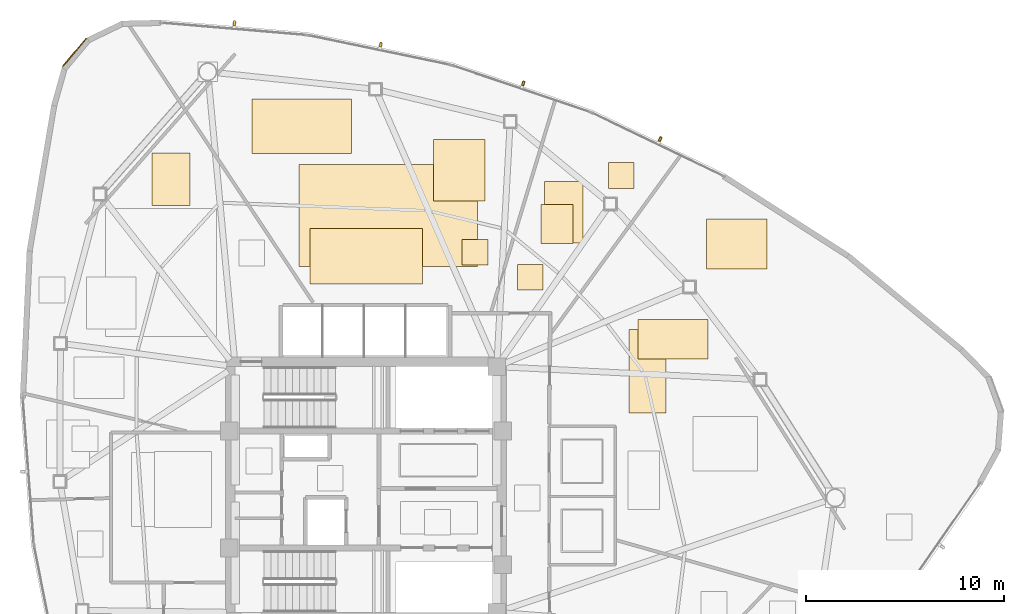
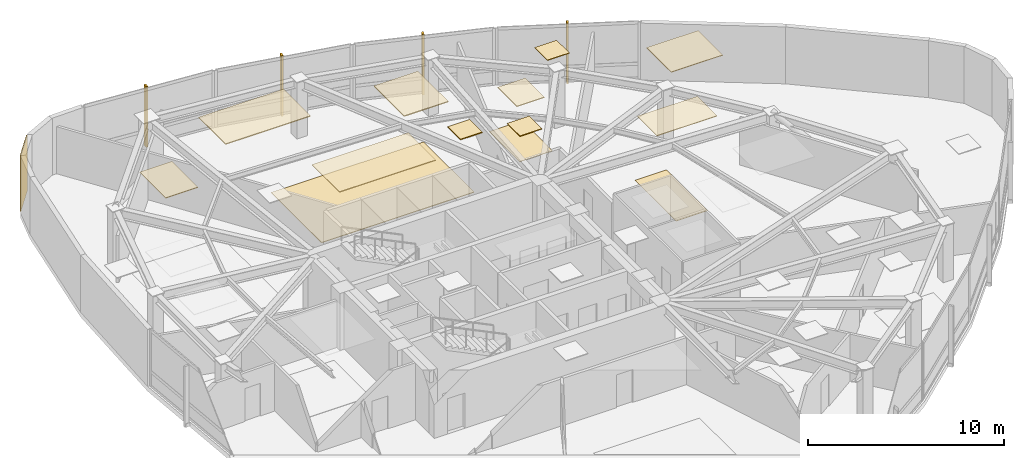
# One storey, part 17 of 17: 14 coverings, 4 shading devices.
"""IFC4 building model written with IfcOpenShell, lengths in metres."""

from ifc_helpers import new_model, si_unit, direction, frame, origin, origin_2d, place, context, subcontext, project, spatial, polyline, rectangle, outline, extrude, source, transform, mapped, material, layer, layer_set, type_object, type_shapes, element, save


model = new_model("IFC4")

# Units and contexts
model_context = context("Model", 3, precision=1e-05, world=origin(), true_north=direction((0.0, 1.0)))
body_context = subcontext(model_context, "Body", "Model", "MODEL_VIEW")
ifc_project = project(units=[si_unit("LENGTHUNIT", "METRE"), si_unit("AREAUNIT", "SQUARE_METRE"), si_unit("VOLUMEUNIT", "CUBIC_METRE"), si_unit("PLANEANGLEUNIT", "RADIAN"), si_unit("MASSUNIT", "GRAM", prefix="KILO")], contexts=[model_context])

# Site, building, storey
site_placement = place(None, origin())
site = spatial("IfcSite", under=ifc_project, at=site_placement, CompositionType="ELEMENT")
building_placement = place(site_placement, origin())
building = spatial("IfcBuilding", under=site, at=building_placement, Name="Tavelor Broadcast Tower", CompositionType="ELEMENT")
storey_placement = place(building_placement, frame((0.0, 0.0, 192.60009765625)))
storey = spatial("IfcBuildingStorey", under=building, at=storey_placement, Name="L46", CompositionType="ELEMENT", Elevation=192.60009765625)

# Coverings
ifc_material_1 = material(Name="Copper-Bronze Anodized Aluminium", Category="aluminium")
ifc_layer_1 = layer(ifc_material_1, 0.050048828125)
ifc_layer_set_1 = layer_set([ifc_layer_1], Name="Copper-Bronze Anodized Aluminium")
covering_type_1 = type_object("IfcCoveringType", Name="Champagne-Bronze Corner Pier Metal Cladding 50 mm", PredefinedType="CLADDING", material=ifc_layer_set_1)
covering_1_placement = place(storey_placement, frame((35.28173828125, 67.05419921875, 0.02001953125), z_axis=(0.0, 0.0, 1.0), x_axis=(-0.643455864734, -0.765483213493, 0.0)))
element("IfcCovering", 1, at=covering_1_placement, inside=storey, type_object=covering_type_1, Name="L46 Champagne-Bronze Corner Cladding 03", PredefinedType="CLADDING", context=body_context, shape_type="SweptSolid", body=[
    extrude(rectangle(XDim=1.858154296875, YDim=0.050048828125, at=origin_2d()), origin(), (0.0, 0.0, 1.0), 3.510009765625),
])
ifc_material_2 = material(Name="Acoustic Nylon Carpet Tile")
ifc_layer_2 = layer(ifc_material_2, 0.02001953125)
ifc_layer_set_2 = layer_set([ifc_layer_2], Name="Acoustic Nylon Carpet Tile")
covering_type_2 = type_object("IfcCoveringType", Name="Heavy-Duty Acoustic Broadcast Carpet Tile 20 mm", PredefinedType="FLOORING", material=ifc_layer_set_2)
covering_2_placement = place(storey_placement, origin())
element("IfcCovering", 2, at=covering_2_placement, inside=storey, type_object=covering_type_2, Name="L46 Broadcast Floor Finish 0696", PredefinedType="FLOORING", context=body_context, shape_type="SweptSolid", body=[
    extrude(outline(polyline([(63.284912109375, 48.86865234375), (65.14208984375, 48.86865234375), (65.14208984375, 53.0712890625), (63.284912109375, 53.0712890625), (63.284912109375, 48.86865234375)])), origin(), (0.0, 0.0, 1.0), 0.02001953125),
])
covering_3_placement = place(storey_placement, origin())
element("IfcCovering", 3, at=covering_3_placement, inside=storey, type_object=covering_type_2, Name="L46 Broadcast Floor Finish 0704", PredefinedType="FLOORING", context=body_context, shape_type="SweptSolid", body=[
    extrude(outline(polyline([(58.998046875, 57.4453125), (60.947265625, 57.4453125), (60.947265625, 60.5556640625), (58.998046875, 60.5556640625), (58.998046875, 57.4453125)])), origin(), (0.0, 0.0, 1.0), 0.02001953125),
])
ifc_material_3 = material(Name="Acoustic Hardwood Studio Flooring", Category="wood")
ifc_layer_3 = layer(ifc_material_3, 0.034912109375)
ifc_layer_set_3 = layer_set([ifc_layer_3], Name="Acoustic Hardwood Studio Flooring")
covering_type_3 = type_object("IfcCoveringType", Name="Isolated Studio Acoustic Elastomeric Floor Finish 35 mm", PredefinedType="FLOORING", material=ifc_layer_set_3)
covering_4_placement = place(storey_placement, origin())
element("IfcCovering", 4, at=covering_4_placement, inside=storey, type_object=covering_type_3, Name="L46 Broadcast Floor Finish 0703", PredefinedType="FLOORING", context=body_context, shape_type="SweptSolid", body=[
    extrude(outline(polyline([(46.624267578125, 56.251953125), (55.62646484375, 56.251953125), (55.62646484375, 61.406494140625), (46.624267578125, 61.406494140625), (46.624267578125, 56.251953125)])), origin(), (0.0, 0.0, 1.0), 0.034912109375),
])
ifc_material_4 = material(Name="Acoustic Perforated Timber Baffle", Category="wood")
ifc_layer_4 = layer(ifc_material_4, 0.054931640625)
ifc_layer_set_4 = layer_set([ifc_layer_4], Name="Acoustic Perforated Timber Baffle")
covering_type_4 = type_object("IfcCoveringType", Name="Micro-Perforated Acoustic Baffle Studio Ceiling 55 mm", PredefinedType="CEILING", material=ifc_layer_set_4)
covering_5_placement = place(storey_placement, frame((0.0, 0.0, 3.494873046875)))
element("IfcCovering", 5, at=covering_5_placement, inside=storey, type_object=covering_type_4, Name="L46 Suspended Acoustic Ceiling 1941", PredefinedType="CEILING", context=body_context, shape_type="SweptSolid", body=[
    extrude(outline(polyline([(54.8544921875, 56.322021484375), (56.154296875, 56.322021484375), (56.154296875, 57.6220703125), (54.8544921875, 57.6220703125), (54.8544921875, 56.322021484375)])), origin(), (0.0, 0.0, 1.0), 0.054931640625),
])
covering_6_placement = place(storey_placement, frame((0.0, 0.0, 3.494873046875)))
element("IfcCovering", 6, at=covering_6_placement, inside=storey, type_object=covering_type_4, Name="L46 Suspended Acoustic Ceiling 1942", PredefinedType="CEILING", context=body_context, shape_type="SweptSolid", body=[
    extrude(outline(polyline([(47.1611328125, 55.36083984375), (52.847412109375, 55.36083984375), (52.847412109375, 58.166015625), (47.1611328125, 58.166015625), (47.1611328125, 55.36083984375)])), origin(), (0.0, 0.0, 1.0), 0.054931640625),
])
covering_7_placement = place(storey_placement, frame((0.0, 0.0, 3.494873046875)))
element("IfcCovering", 7, at=covering_7_placement, inside=storey, type_object=covering_type_4, Name="L46 Suspended Acoustic Ceiling 1943", PredefinedType="CEILING", context=body_context, shape_type="SweptSolid", body=[
    extrude(outline(polyline([(44.25634765625, 61.967041015625), (49.278076171875, 61.967041015625), (49.278076171875, 64.71923828125), (44.25634765625, 64.71923828125), (44.25634765625, 61.967041015625)])), origin(), (0.0, 0.0, 1.0), 0.054931640625),
])
covering_8_placement = place(storey_placement, frame((0.0, 0.0, 3.494873046875)))
element("IfcCovering", 8, at=covering_8_placement, inside=storey, type_object=covering_type_4, Name="L46 Suspended Acoustic Ceiling 1944", PredefinedType="CEILING", context=body_context, shape_type="SweptSolid", body=[
    extrude(outline(polyline([(53.40771484375, 59.56494140625), (56.0146484375, 59.56494140625), (56.0146484375, 62.666015625), (53.40771484375, 62.666015625), (53.40771484375, 59.56494140625)])), origin(), (0.0, 0.0, 1.0), 0.054931640625),
])
ifc_material_5 = material(Name="Acoustic Mineral Fibre Tile")
ifc_layer_5 = layer(ifc_material_5, 0.0400390625)
ifc_layer_set_5 = layer_set([ifc_layer_5], Name="Acoustic Mineral Fibre Tile")
covering_type_5 = type_object("IfcCoveringType", Name="Suspended Acoustic Mineral-Fibre Office Ceiling 40 mm", PredefinedType="CEILING", material=ifc_layer_set_5)
covering_9_placement = place(storey_placement, frame((0.0, 0.0, 3.510009765625)))
element("IfcCovering", 9, at=covering_9_placement, inside=storey, type_object=covering_type_5, Name="L46 Suspended Acoustic Ceiling 1921", PredefinedType="CEILING", context=body_context, shape_type="SweptSolid", body=[
    extrude(outline(polyline([(67.179443359375, 56.127197265625), (70.228271484375, 56.127197265625), (70.228271484375, 58.643310546875), (67.179443359375, 58.643310546875), (67.179443359375, 56.127197265625)])), origin(), (0.0, 0.0, 1.0), 0.039794921875),
])
covering_10_placement = place(storey_placement, frame((0.0, 0.0, 3.510009765625)))
element("IfcCovering", 10, at=covering_10_placement, inside=storey, type_object=covering_type_5, Name="L46 Suspended Acoustic Ceiling 1922", PredefinedType="CEILING", context=body_context, shape_type="SweptSolid", body=[
    extrude(outline(polyline([(63.724365234375, 51.583740234375), (67.2587890625, 51.583740234375), (67.2587890625, 53.588134765625), (63.724365234375, 53.588134765625), (63.724365234375, 51.583740234375)])), origin(), (0.0, 0.0, 1.0), 0.039794921875),
])
covering_11_placement = place(storey_placement, frame((0.0, 0.0, 3.510009765625)))
element("IfcCovering", 11, at=covering_11_placement, inside=storey, type_object=covering_type_5, Name="L46 Suspended Acoustic Ceiling 1938", PredefinedType="CEILING", context=body_context, shape_type="SweptSolid", body=[
    extrude(outline(polyline([(39.20849609375, 59.33544921875), (41.107666015625, 59.33544921875), (41.107666015625, 61.997314453125), (39.20849609375, 61.997314453125), (39.20849609375, 59.33544921875)])), origin(), (0.0, 0.0, 1.0), 0.039794921875),
])
covering_12_placement = place(storey_placement, frame((0.0, 0.0, 3.510009765625)))
element("IfcCovering", 12, at=covering_12_placement, inside=storey, type_object=covering_type_5, Name="L46 Suspended Acoustic Ceiling 1945", PredefinedType="CEILING", context=body_context, shape_type="SweptSolid", body=[
    extrude(outline(polyline([(57.640380859375, 55.061767578125), (58.940185546875, 55.061767578125), (58.940185546875, 56.36181640625), (57.640380859375, 56.36181640625), (57.640380859375, 55.061767578125)])), origin(), (0.0, 0.0, 1.0), 0.039794921875),
])
covering_13_placement = place(storey_placement, frame((0.0, 0.0, 3.510009765625)))
element("IfcCovering", 13, at=covering_13_placement, inside=storey, type_object=covering_type_5, Name="L46 Suspended Acoustic Ceiling 1946", PredefinedType="CEILING", context=body_context, shape_type="SweptSolid", body=[
    extrude(outline(polyline([(58.826416015625, 57.427490234375), (60.450927734375, 57.427490234375), (60.450927734375, 59.388671875), (58.826416015625, 59.388671875), (58.826416015625, 57.427490234375)])), origin(), (0.0, 0.0, 1.0), 0.039794921875),
])
covering_14_placement = place(storey_placement, frame((0.0, 0.0, 3.510009765625)))
element("IfcCovering", 14, at=covering_14_placement, inside=storey, type_object=covering_type_5, Name="L46 Suspended Acoustic Ceiling 1947", PredefinedType="CEILING", context=body_context, shape_type="SweptSolid", body=[
    extrude(outline(polyline([(62.2294921875, 60.205078125), (63.529541015625, 60.205078125), (63.529541015625, 61.505126953125), (62.2294921875, 61.505126953125), (62.2294921875, 60.205078125)])), origin(), (0.0, 0.0, 1.0), 0.039794921875),
])

# Shading devices
ifc_material_6 = material(Name="Kiln-Fired Glazed Terracotta", Category="masonry")
shading_device_type = type_object("IfcShadingDeviceType", Name="Extruded Terracotta Baguette Sun-Screen 110x240", PredefinedType="JALOUSIE", material=ifc_material_6)
shared_shape = source(origin(), body_context, "Body", "SweptSolid", [
    extrude(rectangle(XDim=0.110107421875, YDim=0.239990234375, at=origin_2d()), origin(), (0.0, 0.0, 1.0), 3.7900390625),
])
type_shapes(shading_device_type, [shared_shape])
for number, where, z_axis, x_axis, name in (
    (15, (64.845947265625, 62.686279296875, -0.260009765625), (0.0, 0.0, 1.0), (-0.90130396116, 0.433187222339, 0.0), "L46 Terracotta Baguette Fin 489"),
    (16, (57.939697265625, 65.5048828125, -0.260009765625), (0.0, 0.0, 1.0), (-0.947098304995, 0.320943609807, 0.0), "L46 Terracotta Baguette Fin 490"),
    (17, (50.742919921875, 67.466796875, -0.260009765625), (0.0, 0.0, 1.0), (-0.978974328458, 0.203983490067, 0.0), "L46 Terracotta Baguette Fin 491"),
    (18, (43.36181640625, 68.54345703125, -0.260009765625), (0.0, 0.0, 1.0), (-0.996463589463, 0.084025679855, 0.0), "L46 Terracotta Baguette Fin 492"),
):
    element("IfcShadingDevice", number, at=place(storey_placement, frame(where, z_axis=z_axis, x_axis=x_axis)), inside=storey, type_object=shading_device_type, Name=name, PredefinedType="JALOUSIE", context=body_context, shape_type="MappedRepresentation", body=[
        mapped(shared_shape, transform((0.0, 0.0, 0.0), scale=1.0)),
    ])

save(model, "model.ifc")
